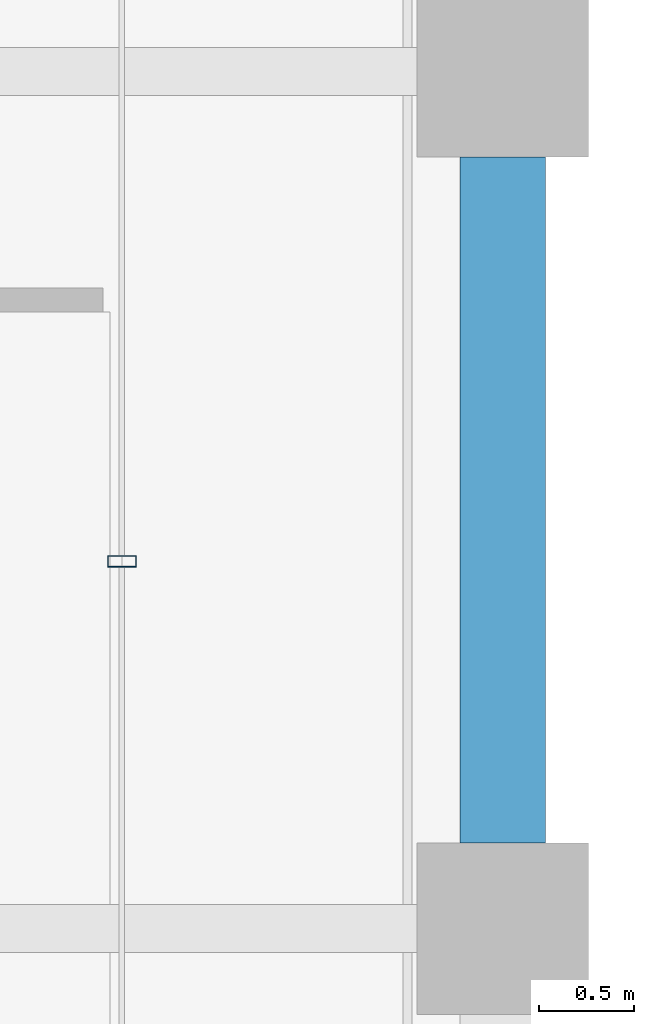
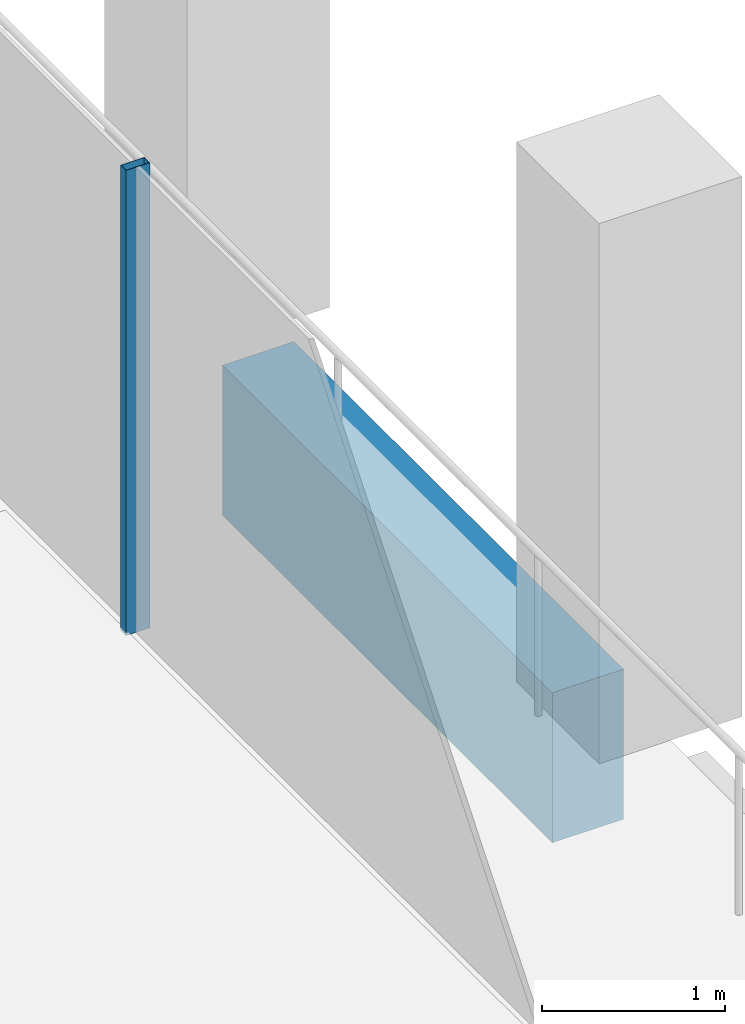
# One storey, part 17 of 40: 1 beam, 1 member, 1 element without a shape of its own.
"""IFC4 building model written with IfcOpenShell, lengths in metres."""

from ifc_helpers import new_model, si_unit, direction, frame, origin, origin_2d, place, context, subcontext, project, spatial, rectangle, hollow_rectangle, extrude, material, material_profile, profile_set, type_object, element, aggregate, save


model = new_model("IFC4")

# Units and contexts
model_context = context("Model", 3, precision=1e-05, world=origin(), true_north=direction((0.0, 1.0)))
body_context = subcontext(model_context, "Body", "Model", "MODEL_VIEW")
ifc_project = project(units=[si_unit("LENGTHUNIT", "METRE"), si_unit("AREAUNIT", "SQUARE_METRE"), si_unit("VOLUMEUNIT", "CUBIC_METRE"), si_unit("PLANEANGLEUNIT", "RADIAN"), si_unit("MASSUNIT", "GRAM", prefix="KILO")], contexts=[model_context])

# Site, building, storey
site_placement = place(None, origin())
site = spatial("IfcSite", under=ifc_project, at=site_placement, CompositionType="ELEMENT")
building_placement = place(site_placement, origin())
building = spatial("IfcBuilding", under=site, at=building_placement, Name="Altepetl Exchange Towers", CompositionType="ELEMENT")
storey_placement = place(building_placement, frame((0.0, 0.0, 172.60009765625)))
storey = spatial("IfcBuildingStorey", under=building, at=storey_placement, Name="L43", CompositionType="ELEMENT", Elevation=172.60009765625)

# Curtain wall, member
ifc_material_1 = material(Name="Aluminium 6063-T6 glazing", Category="aluminium")
curtain_wall_type = type_object("IfcCurtainWallType", Name="Loggia glazing system", PredefinedType="NOTDEFINED", material=ifc_material_1)
curtain_wall_placement = place(storey_placement, origin())
curtain_wall = element("IfcCurtainWall", 1, at=curtain_wall_placement, inside=storey, type_object=curtain_wall_type, Name="CW1 run", PredefinedType="NOTDEFINED")
ifc_material_2 = material(Name="Aluminium 6063-T6", Category="aluminium")
ifc_material_profile_1 = material_profile(ifc_material_2, hollow_rectangle(XDim=0.06005859375, YDim=0.14990234375, WallThickness=0.0029296875, at=origin_2d()), Name="Mullion 60x150 aluminium")
ifc_profile_set_1 = profile_set([ifc_material_profile_1], Name="Aluminium 6063-T6")
member_type = type_object("IfcMemberType", Name="Mullion 60x150 aluminium", PredefinedType="MULLION", material=ifc_profile_set_1)
member_placement = place(storey_placement, frame((70.0, 46.927978515625, 0.0), z_axis=(0.0, 0.0, 1.0), x_axis=(0.0, 1.0, 0.0)))
member = element("IfcMember", 2, at=member_placement, type_object=member_type, Name="MU1 mullion", PredefinedType="MULLION", context=body_context, shape_type="SweptSolid", body=[
    extrude(hollow_rectangle(XDim=0.06005859375, YDim=0.14990234375, WallThickness=0.0029296875, at=origin_2d()), origin(), (0.0, 0.0, 1.0), 3.099853515625),
])
aggregate(curtain_wall, [member])

# Beam
ifc_material_3 = material(Name="Concrete C50/60 precast with cantera amarilla facing", Category="concrete")
ifc_material_profile_2 = material_profile(ifc_material_3, rectangle(XDim=0.449951171875, YDim=1.0, at=origin_2d()), Name="450 x 1000")
ifc_profile_set_2 = profile_set([ifc_material_profile_2], Name="Concrete C50/60 precast with cantera amarilla facing")
beam_type = type_object("IfcBeamType", Name="Spandrel beam 450x1000 cantera amarilla", PredefinedType="SPANDREL", material=ifc_profile_set_2)
beam_placement = place(storey_placement, frame((72.0, 45.449951171875, -0.650146484375), z_axis=(0.0, 1.0, 0.0), x_axis=(-1.0, 0.0, 0.0)))
element("IfcBeam", 3, at=beam_placement, inside=storey, type_object=beam_type, Name="sp:A:L43:015", PredefinedType="SPANDREL", context=body_context, shape_type="SweptSolid", body=[
    extrude(rectangle(XDim=0.449951171875, YDim=1.0, at=origin_2d()), origin(), (0.0, 0.0, 1.0), 3.60009765625),
])

save(model, "model.ifc")
